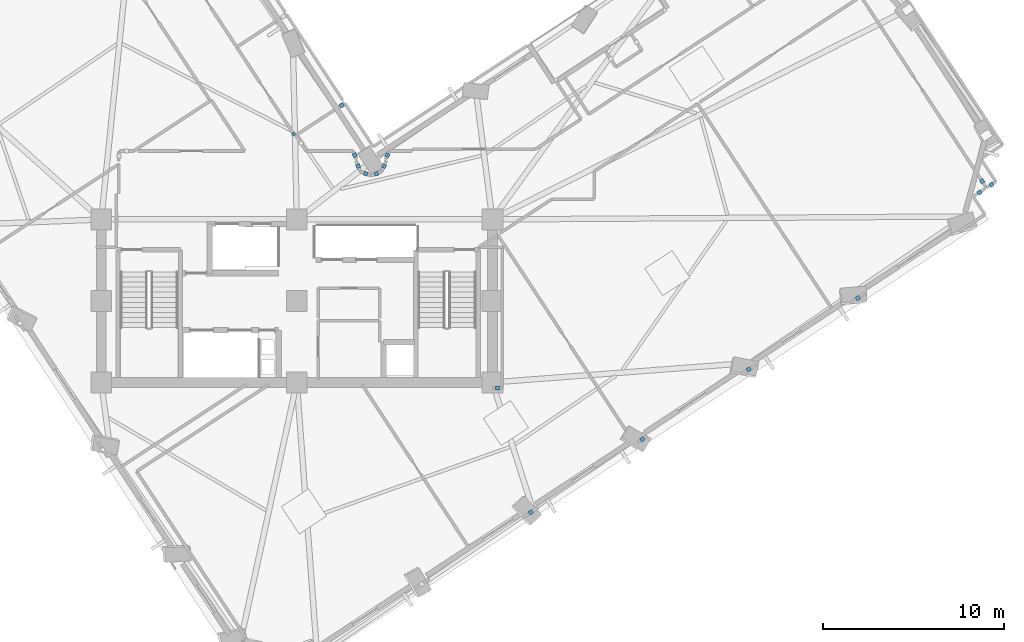
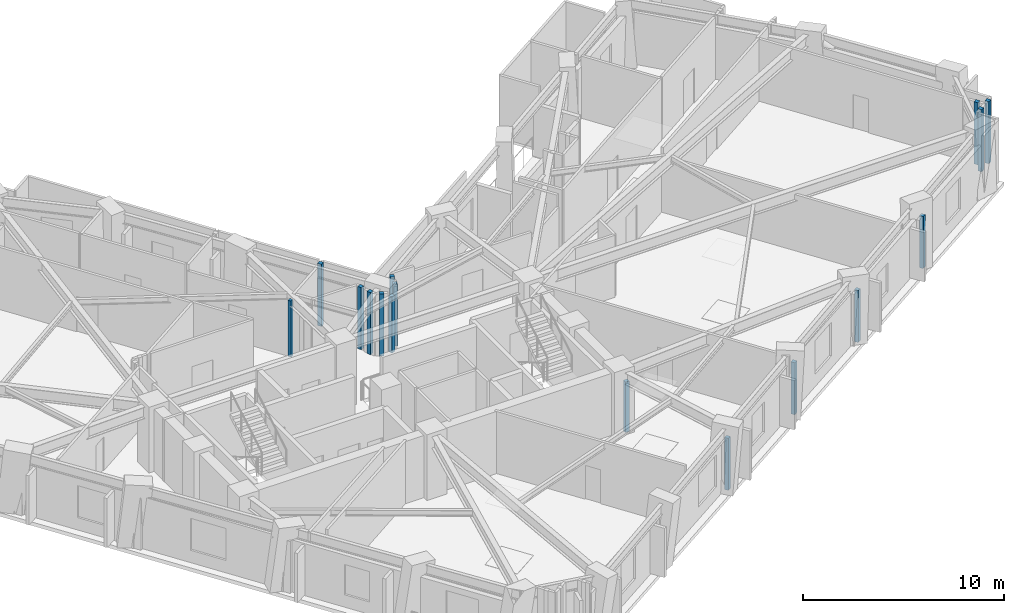
# One storey, part 3 of 14: 16 plates.
"""IFC4 building model written with IfcOpenShell, lengths in metres."""

import ifcopenshell
import ifcopenshell.guid

model = None  # the IFC model being written
_history = None  # IfcOwnerHistory: only IFC2X3 demands one
_inside = {}  # id of a spatial element -> (the spatial element, [elements in it])
_under = {}  # id of a project, library or spatial element -> (it, [spatial elements below it])
_declared = {}  # id of a project -> (the project, [libraries it declares])
_typed = {}  # id of a type object -> (the type object, [elements of that type])
_made_of = {}  # id of a material, layer set ... -> (it, [elements and type objects made of it])


def new_model(schema):
    """Start an empty IFC model of exactly this schema.

    Asked for "IFC4X3", IfcOpenShell would pick the latest addendum, in which some entities
    have other attributes; the version numbers below select the first issue.
    IFC2X3 requires an IfcOwnerHistory on every rooted entity: one is made here for all.
    """
    global model, _history
    if schema == "IFC4X3":
        model = ifcopenshell.file(schema_version=(4, 3, 0, 0))
    else:
        model = ifcopenshell.file(schema=schema)
    _inside.clear()
    _under.clear()
    _declared.clear()
    _typed.clear()
    _made_of.clear()
    _history = None
    if model.schema == "IFC2X3":
        org = make("IfcOrganization", Name="unknown")
        user = make(
            "IfcPersonAndOrganization",
            ThePerson=make("IfcPerson", FamilyName="unknown"),
            TheOrganization=org,
        )
        app = make(
            "IfcApplication",
            ApplicationDeveloper=org,
            Version="unknown",
            ApplicationFullName="unknown",
            ApplicationIdentifier="unknown",
        )
        _history = make(
            "IfcOwnerHistory",
            OwningUser=user,
            OwningApplication=app,
            ChangeAction="ADDED",
            CreationDate=0,
        )
    return model


def make(cls, **values):
    """One entity of the class cls with the attributes given. An attribute that is None is left unset."""
    return model.create_entity(
        cls, **{name: value for name, value in values.items() if value is not None}
    )


def rooted(cls, **values):
    """An entity with a GlobalId (a new one), such as an element, a storey or a relation."""
    return make(cls, GlobalId=ifcopenshell.guid.new(), OwnerHistory=_history, **values)


def si_unit(unit_type, name, prefix=None):
    """IfcSIUnit, for example si_unit("LENGTHUNIT", "METRE", prefix="MILLI")."""
    return make("IfcSIUnit", UnitType=unit_type, Prefix=prefix, Name=name)


def assignment(units):
    """IfcUnitAssignment: the units of a project."""
    return None if units is None else make("IfcUnitAssignment", Units=units)


def point(xyz):
    """IfcCartesianPoint."""
    return None if xyz is None else make("IfcCartesianPoint", Coordinates=xyz)


def direction(xyz):
    """IfcDirection."""
    return None if xyz is None else make("IfcDirection", DirectionRatios=xyz)


def frame(location, z_axis=None, x_axis=None):
    """IfcAxis2Placement3D, a coordinate frame: its origin and axes. An axis left out is left unset."""
    return make(
        "IfcAxis2Placement3D",
        Location=point(location),
        Axis=direction(z_axis),
        RefDirection=direction(x_axis),
    )


def frame_2d(location, x_axis=None):
    """IfcAxis2Placement2D, a coordinate frame in the plane: its origin and x axis."""
    return make(
        "IfcAxis2Placement2D", Location=point(location), RefDirection=direction(x_axis)
    )


def origin():
    """The frame at (0, 0, 0) with its axes left unset."""
    return frame((0.0, 0.0, 0.0))


def origin_2d():
    """The frame at (0, 0) in the plane with its x axis left unset."""
    return frame_2d((0.0, 0.0))


def place(relative_to, where):
    """IfcLocalPlacement: puts the frame where relative to a parent placement (None: the world)."""
    return make(
        "IfcLocalPlacement", PlacementRelTo=relative_to, RelativePlacement=where
    )


def context(
    kind, dimensions, precision=None, world=None, true_north=None, identifier=None
):
    """IfcGeometricRepresentationContext, for example the 3D "Model" context."""
    return make(
        "IfcGeometricRepresentationContext",
        ContextIdentifier=identifier,
        ContextType=kind,
        CoordinateSpaceDimension=dimensions,
        Precision=precision,
        WorldCoordinateSystem=world,
        TrueNorth=true_north,
    )


def subcontext(parent, identifier, kind, view, scale=None):
    """IfcGeometricRepresentationSubContext, for example "Body" below "Model"."""
    return make(
        "IfcGeometricRepresentationSubContext",
        ContextIdentifier=identifier,
        ContextType=kind,
        ParentContext=parent,
        TargetScale=scale,
        TargetView=view,
    )


def project(units=None, contexts=None):
    """IfcProject with its units and contexts."""
    return rooted(
        "IfcProject",
        Name="project",
        RepresentationContexts=contexts,
        UnitsInContext=assignment(units),
    )


def spatial(cls, under=None, at=None, **own):
    """A site, building, storey or space (cls), placed at a placement, below another one or the project."""
    s = rooted(cls, ObjectPlacement=at, **own)
    if under is not None:
        _under.setdefault(under.id(), (under, []))[1].append(s)
    return s


def profile(cls, at=None, kind="AREA", **sizes):
    """A parametric profile (cls). Its sizes go by their IFC names, for example OverallWidth=200.0."""
    return make(cls, ProfileType=kind, Position=at, **sizes)


def rectangle(**sizes):
    """IfcRectangleProfileDef."""
    return profile("IfcRectangleProfileDef", **sizes)


def extrude(swept, where, along, depth):
    """IfcExtrudedAreaSolid: the profile swept, set in the frame where, extruded along a direction by depth."""
    return make(
        "IfcExtrudedAreaSolid",
        SweptArea=swept,
        Position=where,
        ExtrudedDirection=direction(along),
        Depth=depth,
    )


def shape(context_of_items, identifier, shape_type, items):
    """IfcShapeRepresentation: the items that make up one representation, for example the "Body"."""
    return make(
        "IfcShapeRepresentation",
        ContextOfItems=context_of_items,
        RepresentationIdentifier=identifier,
        RepresentationType=shape_type,
        Items=items,
    )


def material(Name=None, Category=None):
    """IfcMaterial."""
    return make("IfcMaterial", Name=Name, Category=Category)


def layer(
    of_material, thickness, ventilated=None, Name=None, Category=None, Priority=None
):
    """IfcMaterialLayer: one layer of a wall or slab, of a material (None: an air gap)."""
    return make(
        "IfcMaterialLayer",
        Material=of_material,
        LayerThickness=thickness,
        IsVentilated=ventilated,
        Name=Name,
        Category=Category,
        Priority=Priority,
    )


def layer_set(layers, Name=None):
    """IfcMaterialLayerSet."""
    return make("IfcMaterialLayerSet", MaterialLayers=layers, LayerSetName=Name)


def made_of(thing, what):
    """Note that an element or type object is made of a material, layer set ...; save() writes the relation."""
    if what is not None:
        _made_of.setdefault(what.id(), (what, []))[1].append(thing)
    return thing


def type_object(cls, material=None, **own):
    """A type object (cls), such as IfcWallType, which elements share."""
    return made_of(rooted(cls, **own), material)


def element(
    cls,
    number,
    at=None,
    inside=None,
    cuts=None,
    type_object=None,
    material=None,
    context=None,
    identifier="Body",
    shape_type=None,
    held_by="IfcProductDefinitionShape",
    body=None,
    shapes=None,
    **own,
):
    """One element of the class cls, such as IfcWall. Its Tag is "e" and its number.

    at: its placement. inside: the storey or other place that contains it. cuts: it is an
    opening in that element (IfcRelVoidsElement). A single representation is given by context,
    identifier, shape_type and body (its items); several are given by shapes. held_by: the class
    of the entity that holds the representations. save() writes the other relations.
    """
    e = rooted(cls, Tag="e%d" % number, ObjectPlacement=at, **own)
    if body is not None:
        shapes = [shape(context, identifier, shape_type, body)]
    if shapes is not None:
        e.Representation = make(held_by, Representations=shapes)
    if inside is not None:
        _inside.setdefault(inside.id(), (inside, []))[1].append(e)
    if cuts is not None:
        rooted(
            "IfcRelVoidsElement", RelatingBuildingElement=cuts, RelatedOpeningElement=e
        )
    if type_object is not None:
        _typed.setdefault(type_object.id(), (type_object, []))[1].append(e)
    return made_of(e, material)


def aggregate(whole, parts):
    """IfcRelAggregates: a whole, such as a stair, and the parts it consists of."""
    return rooted("IfcRelAggregates", RelatingObject=whole, RelatedObjects=parts)


def save(model, path):
    """Write the relations noted so far, then the file.

    IfcRelAggregates (storeys below a building ...), IfcRelContainedInSpatialStructure (elements
    in a storey), IfcRelDefinesByType, IfcRelAssociatesMaterial and IfcRelDeclares: one each for
    every whole, place, type object, material and project.
    """
    for whole, parts in _under.values():
        aggregate(whole, parts)
    for where, things in _inside.values():
        rooted(
            "IfcRelContainedInSpatialStructure",
            RelatedElements=things,
            RelatingStructure=where,
        )
    for kind, things in _typed.values():
        rooted("IfcRelDefinesByType", RelatedObjects=things, RelatingType=kind)
    for what, things in _made_of.values():
        rooted("IfcRelAssociatesMaterial", RelatedObjects=things, RelatingMaterial=what)
    for by, libraries in _declared.values():
        rooted("IfcRelDeclares", RelatingContext=by, RelatedDefinitions=libraries)
    model.write(path)


model = new_model("IFC4")

# Units and contexts
model_context = context("Model", 3, precision=1e-05, world=origin(), true_north=direction((0.0, 1.0)))
body_context = subcontext(model_context, "Body", "Model", "MODEL_VIEW")
ifc_project = project(units=[si_unit("LENGTHUNIT", "METRE"), si_unit("AREAUNIT", "SQUARE_METRE"), si_unit("VOLUMEUNIT", "CUBIC_METRE"), si_unit("PLANEANGLEUNIT", "RADIAN"), si_unit("MASSUNIT", "GRAM", prefix="KILO")], contexts=[model_context])

# Site, building, storey
site_placement = place(None, origin())
site = spatial("IfcSite", under=ifc_project, at=site_placement, CompositionType="ELEMENT")
building_placement = place(site_placement, origin())
building = spatial("IfcBuilding", under=site, at=building_placement, Name="Gaonmaruhae Medical Tower", CompositionType="ELEMENT")
storey_placement = place(building_placement, frame((0.0, 0.0, 165.800048828125)))
storey = spatial("IfcBuildingStorey", under=building, at=storey_placement, Name="L39", CompositionType="ELEMENT", Elevation=165.800048828125)

# Plates
ifc_material = material(Name="Anodised aluminium 6063-T6", Category="aluminium")
ifc_layer = layer(ifc_material, 0.011962890625)
ifc_layer_set = layer_set([ifc_layer], Name="Anodised aluminium 6063-T6")
plate_type = type_object("IfcPlateType", Name="PP-01 Interior Partition Corner Stiffener Plate", PredefinedType="SHEET", material=ifc_layer_set)
plate_1_placement = place(storey_placement, frame((24.626953125, 21.524169921875, 0.0), z_axis=(0.0, 0.0, 1.0), x_axis=(-0.548234844396, 0.836324431898, 0.0)))
element("IfcPlate", 1, at=plate_1_placement, inside=storey, type_object=plate_type, Name="L39 Partition End Jamb Post Plate PLT-L39-ENDP-PW087-0", PredefinedType="SHEET", context=body_context, shape_type="SweptSolid", body=[
    extrude(rectangle(XDim=0.179931640625, YDim=0.179931640625, at=origin_2d()), origin(), (0.0, 0.0, 1.0), 3.4150390625),
])
plate_2_placement = place(storey_placement, frame((37.717529296875, 0.618408203125, 0.0), z_axis=(0.0, 0.0, 1.0), x_axis=(-0.836267016294, -0.54832242108, 0.0)))
element("IfcPlate", 2, at=plate_2_placement, inside=storey, type_object=plate_type, Name="L39 Partition Corner Stiffener Plate PLT-L39-JGP-PW018", PredefinedType="SHEET", context=body_context, shape_type="SweptSolid", body=[
    extrude(rectangle(XDim=0.219970703125, YDim=0.219970703125, at=origin_2d()), origin(), (0.0, 0.0, 1.0), 3.1650390625),
])
plate_3_placement = place(storey_placement, frame((35.875, 7.5, 0.0), z_axis=(0.0, 0.0, 1.0), x_axis=(1.0, 0.0, 0.0)))
element("IfcPlate", 3, at=plate_3_placement, inside=storey, type_object=plate_type, Name="L39 Partition Corner Stiffener Plate PLT-L39-JGP-PW019", PredefinedType="SHEET", context=body_context, shape_type="SweptSolid", body=[
    extrude(rectangle(XDim=0.219970703125, YDim=0.219970703125, at=origin_2d()), origin(), (0.0, 0.0, 1.0), 3.06494140625),
])
for number, where, z_axis, x_axis, name in (
    (4, (49.759033203125, 8.513916015625, 0.0), (0.0, 0.0, 1.0), (-0.836687851054, -0.547680052493, 0.0), "L39 Partition Corner Stiffener Plate PLT-L39-JGP-PW024"),
    (5, (43.87890625, 4.658447265625, 0.0), (0.0, 0.0, 1.0), (-0.836487059636, -0.547986677814, 0.0), "L39 Partition Corner Stiffener Plate PLT-L39-JGP-PW025"),
):
    element("IfcPlate", number, at=place(storey_placement, frame(where, z_axis=z_axis, x_axis=x_axis)), inside=storey, type_object=plate_type, Name=name, PredefinedType="SHEET", context=body_context, shape_type="SweptSolid", body=[
        extrude(rectangle(XDim=0.219970703125, YDim=0.219970703125, at=origin_2d()), origin(), (0.0, 0.0, 1.0), 3.1650390625),
    ])
for number, where, z_axis, x_axis, name in (
    (6, (62.64892578125, 18.912109375, 0.0), (0.0, 0.0, 1.0), (0.548512149931, -0.836142584359, 0.0), "L39 Partition Corner Stiffener Plate PLT-L39-JGP-PW030"),
    (7, (62.512451171875, 18.28662109375, 0.0), (0.0, 0.0, 1.0), (-0.835998955561, -0.548731032748, 0.0), "L39 Partition Corner Stiffener Plate PLT-L39-JGP-PW031"),
):
    element("IfcPlate", number, at=place(storey_placement, frame(where, z_axis=z_axis, x_axis=x_axis)), inside=storey, type_object=plate_type, Name=name, PredefinedType="SHEET", context=body_context, shape_type="SweptSolid", body=[
        extrude(rectangle(XDim=0.219970703125, YDim=0.219970703125, at=origin_2d()), origin(), (0.0, 0.0, 1.0), 3.780029296875),
    ])
plate_4_placement = place(storey_placement, frame((55.780029296875, 12.4609375, 0.0), z_axis=(0.0, 0.0, 1.0), x_axis=(-0.836133010888, -0.548526743289, 0.0)))
element("IfcPlate", 8, at=plate_4_placement, inside=storey, type_object=plate_type, Name="L39 Partition Corner Stiffener Plate PLT-L39-JGP-PW034", PredefinedType="SHEET", context=body_context, shape_type="SweptSolid", body=[
    extrude(rectangle(XDim=0.219970703125, YDim=0.219970703125, at=origin_2d()), origin(), (0.0, 0.0, 1.0), 3.1650390625),
])
for number, where, z_axis, x_axis, name in (
    (9, (29.802490234375, 20.3515625, 0.0), (0.0, 0.0, 1.0), (-0.392931029561, -0.919567945292, 0.0), "L39 Partition Corner Stiffener Plate PLT-L39-JGP-PW054"),
    (10, (29.614013671875, 19.74609375, 0.0), (0.0, 0.0, 1.0), (-0.382167381036, -0.924093119157, 0.0), "L39 Partition Corner Stiffener Plate PLT-L39-JGP-PW055"),
):
    element("IfcPlate", number, at=place(storey_placement, frame(where, z_axis=z_axis, x_axis=x_axis)), inside=storey, type_object=plate_type, Name=name, PredefinedType="SHEET", context=body_context, shape_type="SweptSolid", body=[
        extrude(rectangle(XDim=0.219970703125, YDim=0.219970703125, at=origin_2d()), origin(), (0.0, 0.0, 1.0), 3.780029296875),
    ])
plate_5_placement = place(storey_placement, frame((29.197021484375, 19.3291015625, 0.0), z_axis=(0.0, 0.0, 1.0), x_axis=(-0.924093119157, -0.382167381036, 0.0)))
element("IfcPlate", 11, at=plate_5_placement, inside=storey, type_object=plate_type, Name="L39 Partition Corner Stiffener Plate PLT-L39-JGP-PW056", PredefinedType="SHEET", context=body_context, shape_type="SweptSolid", body=[
    extrude(rectangle(XDim=0.219970703125, YDim=0.219970703125, at=origin_2d()), origin(), (0.0, 0.0, 1.0), 3.4150390625),
])
for number, where, z_axis, x_axis, name in (
    (12, (28.60693359375, 19.3291015625, 0.0), (0.0, 0.0, 1.0), (-0.924093119157, 0.382167381036, 0.0), "L39 Partition Corner Stiffener Plate PLT-L39-JGP-PW057"),
    (13, (28.18994140625, 19.74609375, 0.0), (0.0, 0.0, 1.0), (-0.382167381036, 0.924093119157, 0.0), "L39 Partition Corner Stiffener Plate PLT-L39-JGP-PW058"),
    (14, (28.0, 20.353515625, 0.0), (0.0, 0.0, 1.0), (-0.396154552232, 0.918183843653, 0.0), "L39 Partition Corner Stiffener Plate PLT-L39-JGP-PW059"),
    (15, (27.27587890625, 23.10546875, 0.0), (0.0, 0.0, 1.0), (0.835912750779, 0.548862344387, 0.0), "L39 Partition Corner Stiffener Plate PLT-L39-JGP-PW063"),
    (16, (63.1689453125, 18.716552734375, 0.0), (0.0, 0.0, 1.0), (-0.836276586198, -0.548307825383, 0.0), "L39 Partition Corner Stiffener Plate PLT-L39-JGP-PW108"),
):
    element("IfcPlate", number, at=place(storey_placement, frame(where, z_axis=z_axis, x_axis=x_axis)), inside=storey, type_object=plate_type, Name=name, PredefinedType="SHEET", context=body_context, shape_type="SweptSolid", body=[
        extrude(rectangle(XDim=0.219970703125, YDim=0.219970703125, at=origin_2d()), origin(), (0.0, 0.0, 1.0), 3.780029296875),
    ])

save(model, "model.ifc")
